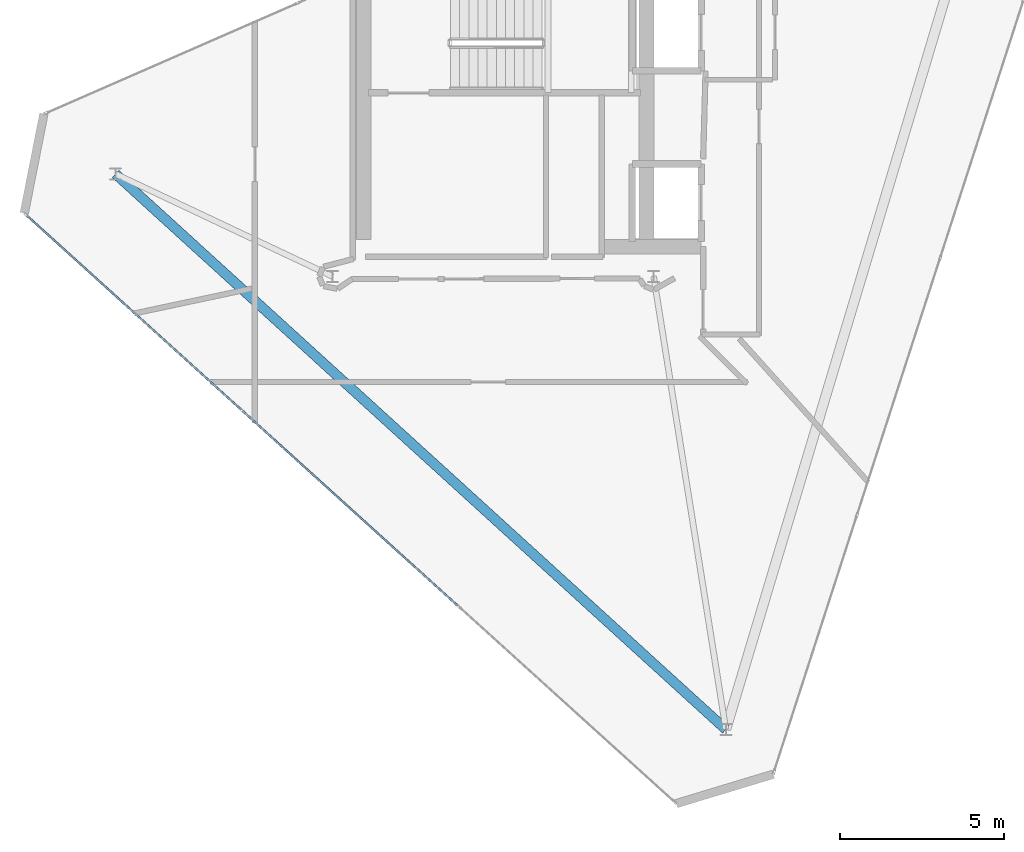
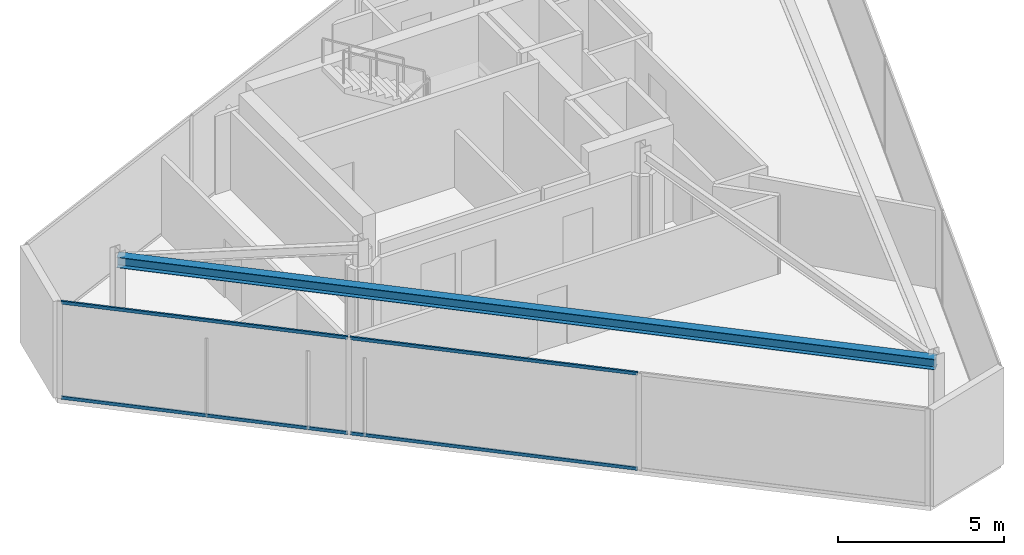
# One storey, part 3 of 14: 4 members, 1 beam, 1 element without a shape of its own.
"""IFC4 building model written with IfcOpenShell, lengths in metres."""

from ifc_helpers import new_model, si_unit, direction, frame, origin, origin_2d, place, context, subcontext, project, spatial, hollow_rectangle, i_section, extrude, material, layer, layer_set, material_profile, profile_set, type_object, element, aggregate, save


model = new_model("IFC4")

# Units and contexts
model_context = context("Model", 3, precision=1e-05, world=origin(), true_north=direction((0.0, 1.0)))
body_context = subcontext(model_context, "Body", "Model", "MODEL_VIEW")
ifc_project = project(units=[si_unit("LENGTHUNIT", "METRE"), si_unit("AREAUNIT", "SQUARE_METRE"), si_unit("VOLUMEUNIT", "CUBIC_METRE"), si_unit("PLANEANGLEUNIT", "RADIAN"), si_unit("MASSUNIT", "GRAM", prefix="KILO")], contexts=[model_context])

# Site, building, storey
site_placement = place(None, origin())
site = spatial("IfcSite", under=ifc_project, at=site_placement, CompositionType="ELEMENT")
building_placement = place(site_placement, origin())
building = spatial("IfcBuilding", under=site, at=building_placement, Name="Qianvela Tower", CompositionType="ELEMENT")
storey_placement = place(building_placement, frame((0.0, 0.0, 363.800048828125)))
storey = spatial("IfcBuildingStorey", under=building, at=storey_placement, Name="L94", CompositionType="ELEMENT", Elevation=363.800048828125)

# Beam
ifc_material_1 = material(Name="Steel Q355B", Category="steel")
ifc_material_profile_1 = material_profile(ifc_material_1, i_section(OverallWidth=0.300048828125, OverallDepth=0.389892578125, WebThickness=0.010009765625, FlangeThickness=0.01611328125, at=origin_2d()), Name="HM390x300x10x16")
ifc_profile_set_1 = profile_set([ifc_material_profile_1], Name="Steel Q355B")
beam_type = type_object("IfcBeamType", Name="BM-HM390-COLL", PredefinedType="BEAM", material=ifc_profile_set_1)
beam_placement = place(storey_placement, frame((40.60400390625, 10.027099609375, 3.35302734375), z_axis=(-0.73956574246, 0.673084327986, 0.0), x_axis=(-0.673084327986, -0.73956574246, 0.0)))
element("IfcBeam", 1, at=beam_placement, inside=storey, type_object=beam_type, Name="L94 Crown Perimeter Frame Girder 2", PredefinedType="BEAM", context=body_context, shape_type="SweptSolid", body=[
    extrude(i_section(OverallWidth=0.300048828125, OverallDepth=0.389892578125, WebThickness=0.010009765625, FlangeThickness=0.01611328125, at=origin_2d()), origin(), (0.0, 0.0, 1.0), 25.18115234375),
])

# Curtain wall, members
ifc_material_2 = material(Name="Anodised Architectural Aluminium and Low-E Glass", Category="aluminium")
ifc_layer = layer(ifc_material_2, 0.159912109375)
ifc_layer_set = layer_set([ifc_layer], Name="Anodised Architectural Aluminium and Low-E Glass")
curtain_wall_type = type_object("IfcCurtainWallType", Name="CW-CROWN", PredefinedType="USERDEFINED", material=ifc_layer_set)
curtain_wall_placement = place(storey_placement, origin())
curtain_wall = element("IfcCurtainWall", 2, at=curtain_wall_placement, inside=storey, type_object=curtain_wall_type, Name="L94 CW-CROWN Curtain Wall 04", ObjectType="CURTAIN_WALL_SYSTEM", PredefinedType="USERDEFINED")
ifc_material_3 = material(Name="Anodised Architectural Aluminium 6063-T6", Category="aluminium")
ifc_material_profile_2 = material_profile(ifc_material_3, hollow_rectangle(XDim=0.06005859375, YDim=0.114990234375, WallThickness=0.00390625, at=origin_2d()), Name="ALU-TRAN-60x115")
ifc_profile_set_2 = profile_set([ifc_material_profile_2], Name="Anodised Architectural Aluminium 6063-T6")
member_type = type_object("IfcMemberType", Name="CW-CROWN-TRAN", PredefinedType="USERDEFINED", material=ifc_profile_set_2)
member_1_placement = place(storey_placement, frame((19.277099609375, 25.701171875, 0.030029296875), z_axis=(0.741264154654, -0.671213418389, 0.0), x_axis=(0.671213418389, 0.741264154654, 0.0)))
member_1 = element("IfcMember", 3, at=member_1_placement, type_object=member_type, Name="CW-8 transom 1.1", ObjectType="TRANSOM", PredefinedType="USERDEFINED", context=body_context, shape_type="SweptSolid", body=[
    extrude(hollow_rectangle(XDim=0.06005859375, YDim=0.114990234375, WallThickness=0.00390625, at=origin_2d()), origin(), (0.0, 0.0, 1.0), 8.817626953125),
])
member_2_placement = place(storey_placement, frame((19.277099609375, 25.701171875, 3.52001953125), z_axis=(0.741264154654, -0.671213418389, 0.0), x_axis=(0.671213418389, 0.741264154654, 0.0)))
member_2 = element("IfcMember", 4, at=member_2_placement, type_object=member_type, Name="CW-8 transom 1.2", ObjectType="TRANSOM", PredefinedType="USERDEFINED", context=body_context, shape_type="SweptSolid", body=[
    extrude(hollow_rectangle(XDim=0.06005859375, YDim=0.114990234375, WallThickness=0.00390625, at=origin_2d()), origin(), (0.0, 0.0, 1.0), 8.817626953125),
])
member_3_placement = place(storey_placement, frame((25.861328125, 19.739013671875, 0.030029296875), z_axis=(0.741286723892, -0.671188492885, 0.0), x_axis=(0.671188492885, 0.741286723892, 0.0)))
member_3 = element("IfcMember", 5, at=member_3_placement, type_object=member_type, Name="CW-8 transom 2.1", ObjectType="TRANSOM", PredefinedType="USERDEFINED", context=body_context, shape_type="SweptSolid", body=[
    extrude(hollow_rectangle(XDim=0.06005859375, YDim=0.114990234375, WallThickness=0.00390625, at=origin_2d()), origin(), (0.0, 0.0, 1.0), 8.849853515625),
])
member_4_placement = place(storey_placement, frame((25.861328125, 19.739013671875, 3.52001953125), z_axis=(0.741286723892, -0.671188492885, 0.0), x_axis=(0.671188492885, 0.741286723892, 0.0)))
member_4 = element("IfcMember", 6, at=member_4_placement, type_object=member_type, Name="CW-8 transom 2.2", ObjectType="TRANSOM", PredefinedType="USERDEFINED", context=body_context, shape_type="SweptSolid", body=[
    extrude(hollow_rectangle(XDim=0.06005859375, YDim=0.114990234375, WallThickness=0.00390625, at=origin_2d()), origin(), (0.0, 0.0, 1.0), 8.849853515625),
])
aggregate(curtain_wall, [member_1, member_2, member_3, member_4])

save(model, "model.ifc")
